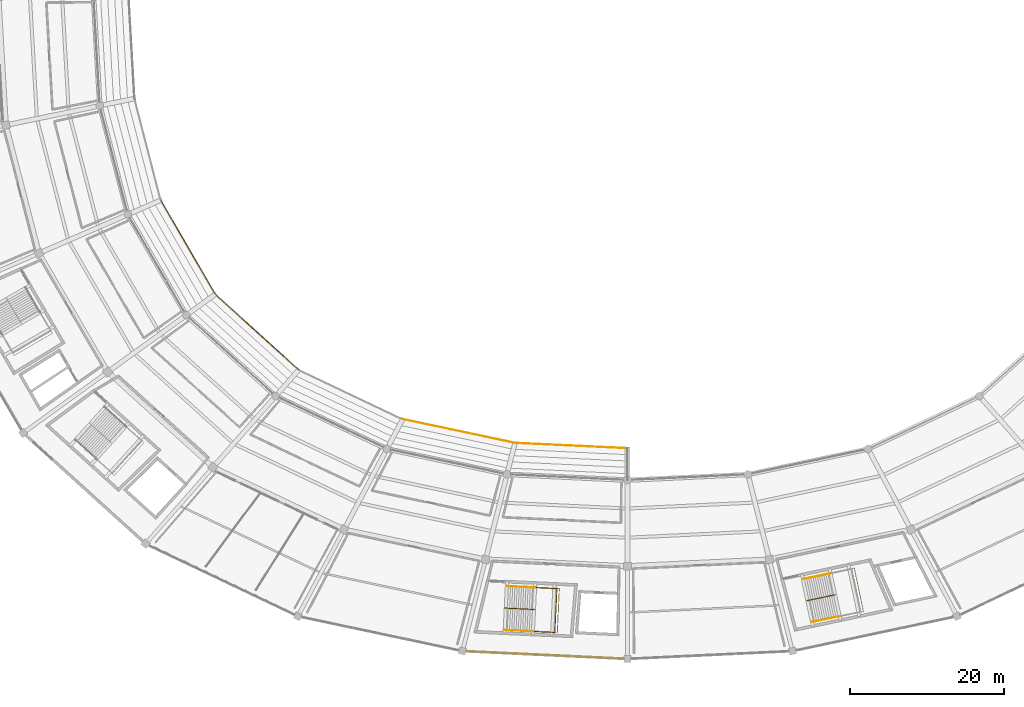
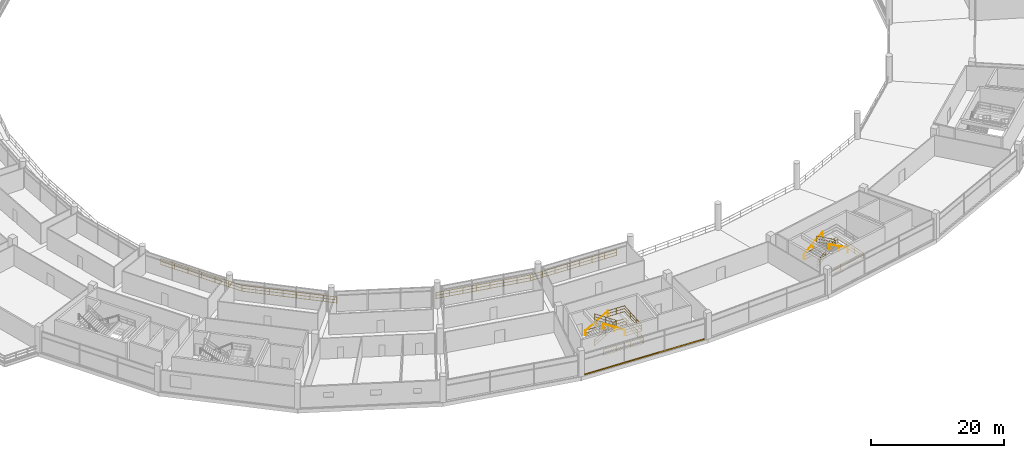
# One storey, part 165 of 171: 13 railings, 1 covering.
"""IFC4 building model written with IfcOpenShell, lengths in metres."""

from ifc_helpers import new_model, si_unit, direction, frame, origin, origin_2d, place, context, subcontext, project, spatial, rectangle, extrude, material, layer, layer_set, type_object, element, save


model = new_model("IFC4")

# Units and contexts
model_context = context("Model", 3, precision=1e-05, world=origin(), true_north=direction((0.0, 1.0)))
body_context = subcontext(model_context, "Body", "Model", "MODEL_VIEW")
ifc_project = project(units=[si_unit("LENGTHUNIT", "METRE"), si_unit("AREAUNIT", "SQUARE_METRE"), si_unit("VOLUMEUNIT", "CUBIC_METRE"), si_unit("PLANEANGLEUNIT", "RADIAN"), si_unit("MASSUNIT", "GRAM", prefix="KILO")], contexts=[model_context])

# Site, building, storey
site_placement = place(None, origin())
site = spatial("IfcSite", under=ifc_project, at=site_placement, CompositionType="ELEMENT")
building_placement = place(site_placement, origin())
building = spatial("IfcBuilding", under=site, at=building_placement, Name="Kazemori Nagisa Stadium", CompositionType="ELEMENT")
storey_placement = place(building_placement, frame((0.0, 0.0, 15.639892578125)))
storey = spatial("IfcBuildingStorey", under=building, at=storey_placement, Name="L03", CompositionType="ELEMENT", Elevation=15.639892578125)

# Covering
ifc_material_1 = material(Name="Anodised aluminium 6063-T5", Category="aluminium")
ifc_layer = layer(ifc_material_1, 0.034912109375, Name="Anodised aluminium 6063-T5", Category="aluminium")
ifc_layer_set = layer_set([ifc_layer], Name="Anodised aluminium 6063-T5")
covering_type = type_object("IfcCoveringType", Name="Covering_CLAD", PredefinedType="CLADDING", material=ifc_layer_set)
covering_placement = place(storey_placement, frame((112.2861328125, 16.506591796875, -0.259765625), z_axis=(0.0, 0.0, 1.0), x_axis=(0.998884022476, -0.047230388971, 0.0)))
element("IfcCovering", 1, at=covering_placement, inside=storey, type_object=covering_type, Name="Anodised fascia cladding L03-B21", PredefinedType="CLADDING", context=body_context, shape_type="SweptSolid", body=[
    extrude(rectangle(XDim=20.3515625, YDim=0.0400390625, at=origin_2d()), origin(), (0.0, 0.0, 1.0), 0.260009765625),
])

# Railings
ifc_material_2 = material(Name="Laminated safety glass and stainless steel SUS304", Category="steel")
railing_type_1 = type_object("IfcRailingType", Name="Rail_BAL", PredefinedType="BALUSTRADE", material=ifc_material_2)
railing_1_placement = place(storey_placement, frame((62.38037109375, 75.57275390625, -1.519775390625)))
element("IfcRailing", 2, at=railing_1_placement, inside=storey, type_object=railing_type_1, Name="Club tier front balustrade B17", PredefinedType="BALUSTRADE", context=body_context, shape_type="SweptSolid", body=[
    extrude(rectangle(XDim=0.050048828125, YDim=0.050048828125, at=origin_2d()), frame((0.0, 0.0, 1.09521484375), z_axis=(0.501617986133, -0.865089241632, 0.0), x_axis=(0.865089241632, 0.501617986133, 0.0)), (0.0, 0.0, 1.0), 14.125732421875),
    extrude(rectangle(XDim=0.03759765625, YDim=0.03759765625, at=origin_2d()), frame((0.0, 0.0, 0.58251953125), z_axis=(0.501617986133, -0.865089241632, 0.0), x_axis=(0.865089241632, 0.501617986133, 0.0)), (0.0, 0.0, 1.0), 14.125732421875),
    extrude(rectangle(XDim=0.03759765625, YDim=0.03759765625, at=origin_2d()), frame((0.0, 0.0, 0.02490234375), z_axis=(0.501617986133, -0.865089241632, 0.0), x_axis=(0.865089241632, 0.501617986133, 0.0)), (0.0, 0.0, 1.0), 14.125732421875),
    extrude(rectangle(XDim=0.044921875, YDim=0.044921875, at=origin_2d()), origin(), (0.0, 0.0, 1.0), 1.070068359375),
    extrude(rectangle(XDim=0.044921875, YDim=0.044921875, at=origin_2d()), frame((1.180908203125, -2.03662109375, 0.0)), (0.0, 0.0, 1.0), 1.070068359375),
    extrude(rectangle(XDim=0.044921875, YDim=0.044921875, at=origin_2d()), frame((2.36181640625, -4.0732421875, 0.0)), (0.0, 0.0, 1.0), 1.070068359375),
    extrude(rectangle(XDim=0.044921875, YDim=0.044921875, at=origin_2d()), frame((3.54296875, -6.10986328125, 0.0)), (0.0, 0.0, 1.0), 1.070068359375),
    extrude(rectangle(XDim=0.044921875, YDim=0.044921875, at=origin_2d()), frame((4.723876953125, -8.146728515625, 0.0)), (0.0, 0.0, 1.0), 1.070068359375),
    extrude(rectangle(XDim=0.044921875, YDim=0.044921875, at=origin_2d()), frame((5.90478515625, -10.183349609375, 0.0)), (0.0, 0.0, 1.0), 1.070068359375),
    extrude(rectangle(XDim=0.044921875, YDim=0.044921875, at=origin_2d()), frame((7.085693359375, -12.219970703125, 0.0)), (0.0, 0.0, 1.0), 1.070068359375),
])
railing_2_placement = place(storey_placement, frame((69.466064453125, 63.352783203125, -1.519775390625)))
element("IfcRailing", 3, at=railing_2_placement, inside=storey, type_object=railing_type_1, Name="Club tier front balustrade B18", PredefinedType="BALUSTRADE", context=body_context, shape_type="SweptSolid", body=[
    extrude(rectangle(XDim=0.050048828125, YDim=0.050048828125, at=origin_2d()), frame((0.0, 0.0, 1.09521484375), z_axis=(0.74134947659, -0.671119179848, 0.0), x_axis=(0.671119179848, 0.74134947659, 0.0)), (0.0, 0.0, 1.0), 14.624755859375),
    extrude(rectangle(XDim=0.03759765625, YDim=0.03759765625, at=origin_2d()), frame((0.0, 0.0, 0.58251953125), z_axis=(0.74134947659, -0.671119179848, 0.0), x_axis=(0.671119179848, 0.74134947659, 0.0)), (0.0, 0.0, 1.0), 14.624755859375),
    extrude(rectangle(XDim=0.03759765625, YDim=0.03759765625, at=origin_2d()), frame((0.0, 0.0, 0.02490234375), z_axis=(0.74134947659, -0.671119179848, 0.0), x_axis=(0.671119179848, 0.74134947659, 0.0)), (0.0, 0.0, 1.0), 14.624755859375),
    extrude(rectangle(XDim=0.044921875, YDim=0.044921875, at=origin_2d()), origin(), (0.0, 0.0, 1.0), 1.070068359375),
    extrude(rectangle(XDim=0.044921875, YDim=0.044921875, at=origin_2d()), frame((1.548828125, -1.402099609375, 0.0)), (0.0, 0.0, 1.0), 1.070068359375),
    extrude(rectangle(XDim=0.044921875, YDim=0.044921875, at=origin_2d()), frame((3.09765625, -2.80419921875, 0.0)), (0.0, 0.0, 1.0), 1.070068359375),
    extrude(rectangle(XDim=0.044921875, YDim=0.044921875, at=origin_2d()), frame((4.646484375, -4.206298828125, 0.0)), (0.0, 0.0, 1.0), 1.070068359375),
    extrude(rectangle(XDim=0.044921875, YDim=0.044921875, at=origin_2d()), frame((6.195556640625, -5.608642578125, 0.0)), (0.0, 0.0, 1.0), 1.070068359375),
    extrude(rectangle(XDim=0.044921875, YDim=0.044921875, at=origin_2d()), frame((7.744384765625, -7.0107421875, 0.0)), (0.0, 0.0, 1.0), 1.070068359375),
    extrude(rectangle(XDim=0.044921875, YDim=0.044921875, at=origin_2d()), frame((9.293212890625, -8.412841796875, 0.0)), (0.0, 0.0, 1.0), 1.070068359375),
    extrude(rectangle(XDim=0.044921875, YDim=0.044921875, at=origin_2d()), frame((10.842041015625, -9.81494140625, 0.0)), (0.0, 0.0, 1.0), 1.070068359375),
])
railing_3_placement = place(storey_placement, frame((93.80712890625, 47.123291015625, -1.519775390625)))
element("IfcRailing", 4, at=railing_3_placement, inside=storey, type_object=railing_type_1, Name="Club tier front balustrade B20", PredefinedType="BALUSTRADE", context=body_context, shape_type="SweptSolid", body=[
    extrude(rectangle(XDim=0.050048828125, YDim=0.050048828125, at=origin_2d()), frame((0.0, 0.0, 1.09521484375), z_axis=(0.978347151304, -0.206970653802, 0.0), x_axis=(0.206970653802, 0.978347151304, 0.0)), (0.0, 0.0, 1.0), 14.90185546875),
    extrude(rectangle(XDim=0.03759765625, YDim=0.03759765625, at=origin_2d()), frame((0.0, 0.0, 0.58251953125), z_axis=(0.978347151304, -0.206970653802, 0.0), x_axis=(0.206970653802, 0.978347151304, 0.0)), (0.0, 0.0, 1.0), 14.90185546875),
    extrude(rectangle(XDim=0.03759765625, YDim=0.03759765625, at=origin_2d()), frame((0.0, 0.0, 0.02490234375), z_axis=(0.978347151304, -0.206970653802, 0.0), x_axis=(0.206970653802, 0.978347151304, 0.0)), (0.0, 0.0, 1.0), 14.90185546875),
    extrude(rectangle(XDim=0.044921875, YDim=0.044921875, at=origin_2d()), origin(), (0.0, 0.0, 1.0), 1.070068359375),
    extrude(rectangle(XDim=0.044921875, YDim=0.044921875, at=origin_2d()), frame((2.082763671875, -0.440673828125, 0.0)), (0.0, 0.0, 1.0), 1.070068359375),
    extrude(rectangle(XDim=0.044921875, YDim=0.044921875, at=origin_2d()), frame((4.16552734375, -0.881103515625, 0.0)), (0.0, 0.0, 1.0), 1.070068359375),
    extrude(rectangle(XDim=0.044921875, YDim=0.044921875, at=origin_2d()), frame((6.248291015625, -1.32177734375, 0.0)), (0.0, 0.0, 1.0), 1.070068359375),
    extrude(rectangle(XDim=0.044921875, YDim=0.044921875, at=origin_2d()), frame((8.330810546875, -1.762451171875, 0.0)), (0.0, 0.0, 1.0), 1.070068359375),
    extrude(rectangle(XDim=0.044921875, YDim=0.044921875, at=origin_2d()), frame((10.41357421875, -2.203125, 0.0)), (0.0, 0.0, 1.0), 1.070068359375),
    extrude(rectangle(XDim=0.044921875, YDim=0.044921875, at=origin_2d()), frame((12.496337890625, -2.6435546875, 0.0)), (0.0, 0.0, 1.0), 1.070068359375),
    extrude(rectangle(XDim=0.044921875, YDim=0.044921875, at=origin_2d()), frame((14.5791015625, -3.084228515625, 0.0)), (0.0, 0.0, 1.0), 1.070068359375),
])
railing_4_placement = place(storey_placement, frame((108.38623046875, 44.0390625, -1.519775390625)))
element("IfcRailing", 5, at=railing_4_placement, inside=storey, type_object=railing_type_1, Name="Club tier front balustrade B21", PredefinedType="BALUSTRADE", context=body_context, shape_type="SweptSolid", body=[
    extrude(rectangle(XDim=0.050048828125, YDim=0.050048828125, at=origin_2d()), frame((0.0, 0.0, 1.09521484375), z_axis=(0.99888345174, -0.047242458015, 0.0), x_axis=(0.047242458015, 0.99888345174, 0.0)), (0.0, 0.0, 1.0), 14.630126953125),
    extrude(rectangle(XDim=0.03759765625, YDim=0.03759765625, at=origin_2d()), frame((0.0, 0.0, 0.58251953125), z_axis=(0.99888345174, -0.047242458015, 0.0), x_axis=(0.047242458015, 0.99888345174, 0.0)), (0.0, 0.0, 1.0), 14.630126953125),
    extrude(rectangle(XDim=0.03759765625, YDim=0.03759765625, at=origin_2d()), frame((0.0, 0.0, 0.02490234375), z_axis=(0.99888345174, -0.047242458015, 0.0), x_axis=(0.047242458015, 0.99888345174, 0.0)), (0.0, 0.0, 1.0), 14.630126953125),
    extrude(rectangle(XDim=0.044921875, YDim=0.044921875, at=origin_2d()), origin(), (0.0, 0.0, 1.0), 1.070068359375),
    extrude(rectangle(XDim=0.044921875, YDim=0.044921875, at=origin_2d()), frame((2.087646484375, -0.0986328125, 0.0)), (0.0, 0.0, 1.0), 1.070068359375),
    extrude(rectangle(XDim=0.044921875, YDim=0.044921875, at=origin_2d()), frame((4.17529296875, -0.197509765625, 0.0)), (0.0, 0.0, 1.0), 1.070068359375),
    extrude(rectangle(XDim=0.044921875, YDim=0.044921875, at=origin_2d()), frame((6.262939453125, -0.296142578125, 0.0)), (0.0, 0.0, 1.0), 1.070068359375),
    extrude(rectangle(XDim=0.044921875, YDim=0.044921875, at=origin_2d()), frame((8.350830078125, -0.39501953125, 0.0)), (0.0, 0.0, 1.0), 1.070068359375),
    extrude(rectangle(XDim=0.044921875, YDim=0.044921875, at=origin_2d()), frame((10.4384765625, -0.49365234375, 0.0)), (0.0, 0.0, 1.0), 1.070068359375),
    extrude(rectangle(XDim=0.044921875, YDim=0.044921875, at=origin_2d()), frame((12.526123046875, -0.592529296875, 0.0)), (0.0, 0.0, 1.0), 1.070068359375),
    extrude(rectangle(XDim=0.044921875, YDim=0.044921875, at=origin_2d()), frame((14.61376953125, -0.691162109375, 0.0)), (0.0, 0.0, 1.0), 1.070068359375),
])
ifc_material_3 = material(Name="Galvanised powder-coated steel", Category="steel")
railing_type_2 = type_object("IfcRailingType", Name="Rail_GUARD", PredefinedType="GUARDRAIL", material=ifc_material_3)
railing_5_placement = place(storey_placement, frame((107.32470703125, 25.434814453125, 0.0)))
element("IfcRailing", 6, at=railing_5_placement, inside=storey, type_object=railing_type_2, Name="Stair well perimeter guard ST12-L03", PredefinedType="GUARDRAIL", context=body_context, shape_type="SweptSolid", body=[
    extrude(rectangle(XDim=0.050048828125, YDim=0.050048828125, at=origin_2d()), frame((0.0, 0.0, 1.09521484375), z_axis=(0.998884784406, -0.047214272012, 0.0), x_axis=(0.047214272012, 0.998884784406, 0.0)), (0.0, 0.0, 1.0), 6.81005859375),
    extrude(rectangle(XDim=0.03759765625, YDim=0.03759765625, at=origin_2d()), frame((0.0, 0.0, 0.58251953125), z_axis=(0.998884784406, -0.047214272012, 0.0), x_axis=(0.047214272012, 0.998884784406, 0.0)), (0.0, 0.0, 1.0), 6.81005859375),
    extrude(rectangle(XDim=0.03759765625, YDim=0.03759765625, at=origin_2d()), frame((0.0, 0.0, 0.02490234375), z_axis=(0.998884784406, -0.047214272012, 0.0), x_axis=(0.047214272012, 0.998884784406, 0.0)), (0.0, 0.0, 1.0), 6.81005859375),
    extrude(rectangle(XDim=0.050048828125, YDim=0.050048828125, at=origin_2d()), frame((6.802490234375, -0.321533203125, 1.09521484375), z_axis=(-0.047243616775, -0.998883396936, 0.0), x_axis=(0.998883396936, -0.047243616775, 0.0)), (0.0, 0.0, 1.0), 5.699951171875),
    extrude(rectangle(XDim=0.03759765625, YDim=0.03759765625, at=origin_2d()), frame((6.802490234375, -0.321533203125, 0.58251953125), z_axis=(-0.047243616775, -0.998883396936, 0.0), x_axis=(0.998883396936, -0.047243616775, 0.0)), (0.0, 0.0, 1.0), 5.699951171875),
    extrude(rectangle(XDim=0.03759765625, YDim=0.03759765625, at=origin_2d()), frame((6.802490234375, -0.321533203125, 0.02490234375), z_axis=(-0.047243616775, -0.998883396936, 0.0), x_axis=(0.998883396936, -0.047243616775, 0.0)), (0.0, 0.0, 1.0), 5.699951171875),
    extrude(rectangle(XDim=0.050048828125, YDim=0.050048828125, at=origin_2d()), frame((6.533203125, -6.01513671875, 1.09521484375), z_axis=(-0.998884704486, 0.04721596281, 0.0), x_axis=(-0.04721596281, -0.998884704486, 0.0)), (0.0, 0.0, 1.0), 6.809814453125),
    extrude(rectangle(XDim=0.03759765625, YDim=0.03759765625, at=origin_2d()), frame((6.533203125, -6.01513671875, 0.58251953125), z_axis=(-0.998884704486, 0.04721596281, 0.0), x_axis=(-0.04721596281, -0.998884704486, 0.0)), (0.0, 0.0, 1.0), 6.809814453125),
    extrude(rectangle(XDim=0.03759765625, YDim=0.03759765625, at=origin_2d()), frame((6.533203125, -6.01513671875, 0.02490234375), z_axis=(-0.998884704486, 0.04721596281, 0.0), x_axis=(-0.04721596281, -0.998884704486, 0.0)), (0.0, 0.0, 1.0), 6.809814453125),
    extrude(rectangle(XDim=0.044921875, YDim=0.044921875, at=origin_2d()), origin(), (0.0, 0.0, 1.0), 1.070068359375),
    extrude(rectangle(XDim=0.044921875, YDim=0.044921875, at=origin_2d()), frame((2.267578125, -0.107177734375, 0.0)), (0.0, 0.0, 1.0), 1.070068359375),
    extrude(rectangle(XDim=0.044921875, YDim=0.044921875, at=origin_2d()), frame((4.534912109375, -0.21435546875, 0.0)), (0.0, 0.0, 1.0), 1.070068359375),
    extrude(rectangle(XDim=0.044921875, YDim=0.044921875, at=origin_2d()), frame((6.802490234375, -0.321533203125, 0.0)), (0.0, 0.0, 1.0), 1.070068359375),
    extrude(rectangle(XDim=0.044921875, YDim=0.044921875, at=origin_2d()), frame((6.712646484375, -2.219482421875, 0.0)), (0.0, 0.0, 1.0), 1.070068359375),
    extrude(rectangle(XDim=0.044921875, YDim=0.044921875, at=origin_2d()), frame((6.623046875, -4.1171875, 0.0)), (0.0, 0.0, 1.0), 1.070068359375),
    extrude(rectangle(XDim=0.044921875, YDim=0.044921875, at=origin_2d()), frame((6.533203125, -6.01513671875, 0.0)), (0.0, 0.0, 1.0), 1.070068359375),
    extrude(rectangle(XDim=0.044921875, YDim=0.044921875, at=origin_2d()), frame((4.265869140625, -5.907958984375, 0.0)), (0.0, 0.0, 1.0), 1.070068359375),
    extrude(rectangle(XDim=0.044921875, YDim=0.044921875, at=origin_2d()), frame((1.998291015625, -5.80078125, 0.0)), (0.0, 0.0, 1.0), 1.070068359375),
    extrude(rectangle(XDim=0.044921875, YDim=0.044921875, at=origin_2d()), frame((-0.26904296875, -5.693603515625, 0.0)), (0.0, 0.0, 1.0), 1.070068359375),
])
railing_6_placement = place(storey_placement, frame((107.1103515625, 22.591796875, 0.0)))
element("IfcRailing", 7, at=railing_6_placement, inside=storey, type_object=railing_type_2, Name="Stair central guard ST12-L03", PredefinedType="GUARDRAIL", context=body_context, shape_type="SweptSolid", body=[
    extrude(rectangle(XDim=0.050048828125, YDim=0.050048828125, at=origin_2d()), frame((0.0, 0.0, 1.09521484375), z_axis=(0.843672919701, -0.039868940943, 0.535375076102), x_axis=(0.047203717739, 0.998885283219, 0.0)), (0.0, 0.0, 1.0), 4.44580078125),
    extrude(rectangle(XDim=0.03759765625, YDim=0.03759765625, at=origin_2d()), frame((0.0, 0.0, 0.58251953125), z_axis=(0.843672919701, -0.039868940943, 0.535375076102), x_axis=(0.047203717739, 0.998885283219, 0.0)), (0.0, 0.0, 1.0), 4.44580078125),
    extrude(rectangle(XDim=0.03759765625, YDim=0.03759765625, at=origin_2d()), frame((0.0, 0.0, 0.02490234375), z_axis=(0.843672919701, -0.039868940943, 0.535375076102), x_axis=(0.047203717739, 0.998885283219, 0.0)), (0.0, 0.0, 1.0), 4.44580078125),
    extrude(rectangle(XDim=0.050048828125, YDim=0.050048828125, at=origin_2d()), frame((3.750732421875, -0.17724609375, 3.47509765625), z_axis=(-0.83843100158, 0.039646477928, 0.54356380709), x_axis=(-0.047233734206, -0.998883864297, 0.0)), (0.0, 0.0, 1.0), 4.378173828125),
    extrude(rectangle(XDim=0.03759765625, YDim=0.03759765625, at=origin_2d()), frame((3.750732421875, -0.17724609375, 2.962646484375), z_axis=(-0.83843100158, 0.039646477928, 0.54356380709), x_axis=(-0.047233734206, -0.998883864297, 0.0)), (0.0, 0.0, 1.0), 4.378173828125),
    extrude(rectangle(XDim=0.03759765625, YDim=0.03759765625, at=origin_2d()), frame((3.750732421875, -0.17724609375, 2.4052734375), z_axis=(-0.83843100158, 0.039646477928, 0.54356380709), x_axis=(-0.047233734206, -0.998883864297, 0.0)), (0.0, 0.0, 1.0), 4.378173828125),
    extrude(rectangle(XDim=0.044921875, YDim=0.044921875, at=origin_2d()), origin(), (0.0, 0.0, 1.0), 1.070068359375),
    extrude(rectangle(XDim=0.044921875, YDim=0.044921875, at=origin_2d()), frame((1.87548828125, -0.088623046875, 1.18994140625)), (0.0, 0.0, 1.0), 1.070068359375),
    extrude(rectangle(XDim=0.044921875, YDim=0.044921875, at=origin_2d()), frame((3.750732421875, -0.17724609375, 2.380126953125)), (0.0, 0.0, 1.0), 1.070068359375),
    extrude(rectangle(XDim=0.044921875, YDim=0.044921875, at=origin_2d()), frame((1.915283203125, -0.09033203125, 3.570068359375)), (0.0, 0.0, 1.0), 1.070068359375),
    extrude(rectangle(XDim=0.044921875, YDim=0.044921875, at=origin_2d()), frame((0.079833984375, -0.003662109375, 4.760009765625)), (0.0, 0.0, 1.0), 1.070068359375),
])
railing_7_placement = place(storey_placement, frame((110.99560546875, 25.26123046875, 2.380126953125)))
element("IfcRailing", 8, at=railing_7_placement, inside=storey, type_object=railing_type_2, Name="Stair landing guard ST12-L03", PredefinedType="GUARDRAIL", context=body_context, shape_type="SweptSolid", body=[
    extrude(rectangle(XDim=0.050048828125, YDim=0.050048828125, at=origin_2d()), frame((0.0, 0.0, 1.09521484375), z_axis=(0.998885512722, -0.047198860948, 0.0), x_axis=(0.047198860948, 0.998885512722, 0.0)), (0.0, 0.0, 1.0), 2.85009765625),
    extrude(rectangle(XDim=0.03759765625, YDim=0.03759765625, at=origin_2d()), frame((0.0, 0.0, 0.58251953125), z_axis=(0.998885512722, -0.047198860948, 0.0), x_axis=(0.047198860948, 0.998885512722, 0.0)), (0.0, 0.0, 1.0), 2.85009765625),
    extrude(rectangle(XDim=0.03759765625, YDim=0.03759765625, at=origin_2d()), frame((0.0, 0.0, 0.02490234375), z_axis=(0.998885512722, -0.047198860948, 0.0), x_axis=(0.047198860948, 0.998885512722, 0.0)), (0.0, 0.0, 1.0), 2.85009765625),
    extrude(rectangle(XDim=0.050048828125, YDim=0.050048828125, at=origin_2d()), frame((2.846923828125, -0.134521484375, 1.09521484375), z_axis=(-0.047243616775, -0.998883396936, 0.0), x_axis=(0.998883396936, -0.047243616775, 0.0)), (0.0, 0.0, 1.0), 5.699951171875),
    extrude(rectangle(XDim=0.03759765625, YDim=0.03759765625, at=origin_2d()), frame((2.846923828125, -0.134521484375, 0.58251953125), z_axis=(-0.047243616775, -0.998883396936, 0.0), x_axis=(0.998883396936, -0.047243616775, 0.0)), (0.0, 0.0, 1.0), 5.699951171875),
    extrude(rectangle(XDim=0.03759765625, YDim=0.03759765625, at=origin_2d()), frame((2.846923828125, -0.134521484375, 0.02490234375), z_axis=(-0.047243616775, -0.998883396936, 0.0), x_axis=(0.998883396936, -0.047243616775, 0.0)), (0.0, 0.0, 1.0), 5.699951171875),
    extrude(rectangle(XDim=0.050048828125, YDim=0.050048828125, at=origin_2d()), frame((2.57763671875, -5.828125, 1.09521484375), z_axis=(-0.998885321869, 0.047202899858, 0.0), x_axis=(-0.047202899858, -0.998885321869, 0.0)), (0.0, 0.0, 1.0), 2.849853515625),
    extrude(rectangle(XDim=0.03759765625, YDim=0.03759765625, at=origin_2d()), frame((2.57763671875, -5.828125, 0.58251953125), z_axis=(-0.998885321869, 0.047202899858, 0.0), x_axis=(-0.047202899858, -0.998885321869, 0.0)), (0.0, 0.0, 1.0), 2.849853515625),
    extrude(rectangle(XDim=0.03759765625, YDim=0.03759765625, at=origin_2d()), frame((2.57763671875, -5.828125, 0.02490234375), z_axis=(-0.998885321869, 0.047202899858, 0.0), x_axis=(-0.047202899858, -0.998885321869, 0.0)), (0.0, 0.0, 1.0), 2.849853515625),
    extrude(rectangle(XDim=0.044921875, YDim=0.044921875, at=origin_2d()), origin(), (0.0, 0.0, 1.0), 1.070068359375),
    extrude(rectangle(XDim=0.044921875, YDim=0.044921875, at=origin_2d()), frame((1.42333984375, -0.0673828125, 0.0)), (0.0, 0.0, 1.0), 1.070068359375),
    extrude(rectangle(XDim=0.044921875, YDim=0.044921875, at=origin_2d()), frame((2.846923828125, -0.134521484375, 0.0)), (0.0, 0.0, 1.0), 1.070068359375),
    extrude(rectangle(XDim=0.044921875, YDim=0.044921875, at=origin_2d()), frame((2.757080078125, -2.032470703125, 0.0)), (0.0, 0.0, 1.0), 1.070068359375),
    extrude(rectangle(XDim=0.044921875, YDim=0.044921875, at=origin_2d()), frame((2.66748046875, -3.93017578125, 0.0)), (0.0, 0.0, 1.0), 1.070068359375),
    extrude(rectangle(XDim=0.044921875, YDim=0.044921875, at=origin_2d()), frame((2.57763671875, -5.828125, 0.0)), (0.0, 0.0, 1.0), 1.070068359375),
    extrude(rectangle(XDim=0.044921875, YDim=0.044921875, at=origin_2d()), frame((1.154296875, -5.7607421875, 0.0)), (0.0, 0.0, 1.0), 1.070068359375),
    extrude(rectangle(XDim=0.044921875, YDim=0.044921875, at=origin_2d()), frame((-0.26904296875, -5.693603515625, 0.0)), (0.0, 0.0, 1.0), 1.070068359375),
])
railing_8_placement = place(storey_placement, frame((145.77685546875, 26.353271484375, 0.0)))
element("IfcRailing", 9, at=railing_8_placement, inside=storey, type_object=railing_type_2, Name="Stair well perimeter guard ST06-L03", PredefinedType="GUARDRAIL", context=body_context, shape_type="SweptSolid", body=[
    extrude(rectangle(XDim=0.050048828125, YDim=0.050048828125, at=origin_2d()), frame((0.0, 0.0, 1.09521484375), z_axis=(0.978348865551, 0.206962550415, 0.0), x_axis=(-0.206962550415, 0.978348865551, 0.0)), (0.0, 0.0, 1.0), 6.81005859375),
    extrude(rectangle(XDim=0.03759765625, YDim=0.03759765625, at=origin_2d()), frame((0.0, 0.0, 0.58251953125), z_axis=(0.978348865551, 0.206962550415, 0.0), x_axis=(-0.206962550415, 0.978348865551, 0.0)), (0.0, 0.0, 1.0), 6.81005859375),
    extrude(rectangle(XDim=0.03759765625, YDim=0.03759765625, at=origin_2d()), frame((0.0, 0.0, 0.02490234375), z_axis=(0.978348865551, 0.206962550415, 0.0), x_axis=(-0.206962550415, 0.978348865551, 0.0)), (0.0, 0.0, 1.0), 6.81005859375),
    extrude(rectangle(XDim=0.050048828125, YDim=0.050048828125, at=origin_2d()), frame((6.66259765625, 1.409423828125, 1.09521484375), z_axis=(0.206960167837, -0.978349369565, 0.0), x_axis=(0.978349369565, 0.206960167837, 0.0)), (0.0, 0.0, 1.0), 5.699951171875),
    extrude(rectangle(XDim=0.03759765625, YDim=0.03759765625, at=origin_2d()), frame((6.66259765625, 1.409423828125, 0.58251953125), z_axis=(0.206960167837, -0.978349369565, 0.0), x_axis=(0.978349369565, 0.206960167837, 0.0)), (0.0, 0.0, 1.0), 5.699951171875),
    extrude(rectangle(XDim=0.03759765625, YDim=0.03759765625, at=origin_2d()), frame((6.66259765625, 1.409423828125, 0.02490234375), z_axis=(0.206960167837, -0.978349369565, 0.0), x_axis=(0.978349369565, 0.206960167837, 0.0)), (0.0, 0.0, 1.0), 5.699951171875),
    extrude(rectangle(XDim=0.050048828125, YDim=0.050048828125, at=origin_2d()), frame((7.84228515625, -4.167236328125, 1.09521484375), z_axis=(-0.978347329886, -0.206969809646, 0.0), x_axis=(0.206969809646, -0.978347329886, 0.0)), (0.0, 0.0, 1.0), 6.809814453125),
    extrude(rectangle(XDim=0.03759765625, YDim=0.03759765625, at=origin_2d()), frame((7.84228515625, -4.167236328125, 0.58251953125), z_axis=(-0.978347329886, -0.206969809646, 0.0), x_axis=(0.206969809646, -0.978347329886, 0.0)), (0.0, 0.0, 1.0), 6.809814453125),
    extrude(rectangle(XDim=0.03759765625, YDim=0.03759765625, at=origin_2d()), frame((7.84228515625, -4.167236328125, 0.02490234375), z_axis=(-0.978347329886, -0.206969809646, 0.0), x_axis=(0.206969809646, -0.978347329886, 0.0)), (0.0, 0.0, 1.0), 6.809814453125),
    extrude(rectangle(XDim=0.044921875, YDim=0.044921875, at=origin_2d()), origin(), (0.0, 0.0, 1.0), 1.070068359375),
    extrude(rectangle(XDim=0.044921875, YDim=0.044921875, at=origin_2d()), frame((2.220947265625, 0.4697265625, 0.0)), (0.0, 0.0, 1.0), 1.070068359375),
    extrude(rectangle(XDim=0.044921875, YDim=0.044921875, at=origin_2d()), frame((4.441650390625, 0.939697265625, 0.0)), (0.0, 0.0, 1.0), 1.070068359375),
    extrude(rectangle(XDim=0.044921875, YDim=0.044921875, at=origin_2d()), frame((6.66259765625, 1.409423828125, 0.0)), (0.0, 0.0, 1.0), 1.070068359375),
    extrude(rectangle(XDim=0.044921875, YDim=0.044921875, at=origin_2d()), frame((7.055908203125, -0.449462890625, 0.0)), (0.0, 0.0, 1.0), 1.070068359375),
    extrude(rectangle(XDim=0.044921875, YDim=0.044921875, at=origin_2d()), frame((7.448974609375, -2.308349609375, 0.0)), (0.0, 0.0, 1.0), 1.070068359375),
    extrude(rectangle(XDim=0.044921875, YDim=0.044921875, at=origin_2d()), frame((7.84228515625, -4.167236328125, 0.0)), (0.0, 0.0, 1.0), 1.070068359375),
    extrude(rectangle(XDim=0.044921875, YDim=0.044921875, at=origin_2d()), frame((5.62158203125, -4.636962890625, 0.0)), (0.0, 0.0, 1.0), 1.070068359375),
    extrude(rectangle(XDim=0.044921875, YDim=0.044921875, at=origin_2d()), frame((3.400634765625, -5.10693359375, 0.0)), (0.0, 0.0, 1.0), 1.070068359375),
    extrude(rectangle(XDim=0.044921875, YDim=0.044921875, at=origin_2d()), frame((1.179931640625, -5.57666015625, 0.0)), (0.0, 0.0, 1.0), 1.070068359375),
])
railing_9_placement = place(storey_placement, frame((146.28857421875, 23.54833984375, 0.0)))
element("IfcRailing", 10, at=railing_9_placement, inside=storey, type_object=railing_type_2, Name="Stair central guard ST06-L03", PredefinedType="GUARDRAIL", context=body_context, shape_type="SweptSolid", body=[
    extrude(rectangle(XDim=0.050048828125, YDim=0.050048828125, at=origin_2d()), frame((0.0, 0.0, 1.09521484375), z_axis=(0.82632590955, 0.174798655552, 0.535379231222), x_axis=(-0.206957394223, 0.978349956292, 0.0)), (0.0, 0.0, 1.0), 4.44580078125),
    extrude(rectangle(XDim=0.03759765625, YDim=0.03759765625, at=origin_2d()), frame((0.0, 0.0, 0.58251953125), z_axis=(0.82632590955, 0.174798655552, 0.535379231222), x_axis=(-0.206957394223, 0.978349956292, 0.0)), (0.0, 0.0, 1.0), 4.44580078125),
    extrude(rectangle(XDim=0.03759765625, YDim=0.03759765625, at=origin_2d()), frame((0.0, 0.0, 0.02490234375), z_axis=(0.82632590955, 0.174798655552, 0.535379231222), x_axis=(-0.206957394223, 0.978349956292, 0.0)), (0.0, 0.0, 1.0), 4.44580078125),
    extrude(rectangle(XDim=0.050048828125, YDim=0.050048828125, at=origin_2d()), frame((3.673583984375, 0.777099609375, 3.47509765625), z_axis=(-0.821199479463, -0.173697044783, 0.543563015265), x_axis=(0.206937802859, -0.978354100389, 0.0)), (0.0, 0.0, 1.0), 4.37841796875),
    extrude(rectangle(XDim=0.03759765625, YDim=0.03759765625, at=origin_2d()), frame((3.673583984375, 0.777099609375, 2.962646484375), z_axis=(-0.821199479463, -0.173697044783, 0.543563015265), x_axis=(0.206937802859, -0.978354100389, 0.0)), (0.0, 0.0, 1.0), 4.37841796875),
    extrude(rectangle(XDim=0.03759765625, YDim=0.03759765625, at=origin_2d()), frame((3.673583984375, 0.777099609375, 2.4052734375), z_axis=(-0.821199479463, -0.173697044783, 0.543563015265), x_axis=(0.206937802859, -0.978354100389, 0.0)), (0.0, 0.0, 1.0), 4.37841796875),
    extrude(rectangle(XDim=0.044921875, YDim=0.044921875, at=origin_2d()), origin(), (0.0, 0.0, 1.0), 1.070068359375),
    extrude(rectangle(XDim=0.044921875, YDim=0.044921875, at=origin_2d()), frame((1.8369140625, 0.388671875, 1.18994140625)), (0.0, 0.0, 1.0), 1.070068359375),
    extrude(rectangle(XDim=0.044921875, YDim=0.044921875, at=origin_2d()), frame((3.673583984375, 0.777099609375, 2.380126953125)), (0.0, 0.0, 1.0), 1.070068359375),
    extrude(rectangle(XDim=0.044921875, YDim=0.044921875, at=origin_2d()), frame((1.8759765625, 0.39697265625, 3.570068359375)), (0.0, 0.0, 1.0), 1.070068359375),
    extrude(rectangle(XDim=0.044921875, YDim=0.044921875, at=origin_2d()), frame((0.078125, 0.0166015625, 4.760009765625)), (0.0, 0.0, 1.0), 1.070068359375),
])
ifc_material_4 = material(Name="Stainless steel SUS304", Category="steel")
railing_type_3 = type_object("IfcRailingType", Name="Rail_HAND", PredefinedType="HANDRAIL", material=ifc_material_4)
railing_10_placement = place(storey_placement, frame((107.244873046875, 25.438720703125, 0.170166015625)))
element("IfcRailing", 11, at=railing_10_placement, inside=storey, type_object=railing_type_3, Name="Stair handrail ST12-L03-F1", PredefinedType="HANDRAIL", context=body_context, shape_type="SweptSolid", body=[
    extrude(rectangle(XDim=0.050048828125, YDim=0.050048828125, at=origin_2d()), frame((0.0, 0.0, 0.875), z_axis=(0.843695875415, -0.039924943138, 0.53533472587), x_axis=(0.04726859146, 0.998882215409, 0.0)), (0.0, 0.0, 1.0), 4.445556640625),
    extrude(rectangle(XDim=0.044921875, YDim=0.044921875, at=origin_2d()), origin(), (0.0, 0.0, 1.0), 0.849853515625),
    extrude(rectangle(XDim=0.044921875, YDim=0.044921875, at=origin_2d()), frame((1.87548828125, -0.0888671875, 1.18994140625)), (0.0, 0.0, 1.0), 0.849853515625),
    extrude(rectangle(XDim=0.044921875, YDim=0.044921875, at=origin_2d()), frame((3.750732421875, -0.177490234375, 2.3798828125)), (0.0, 0.0, 1.0), 0.849853515625),
])
railing_11_placement = place(storey_placement, frame((110.7265625, 19.567626953125, 2.550048828125)))
element("IfcRailing", 12, at=railing_11_placement, inside=storey, type_object=railing_type_3, Name="Stair handrail ST12-L03-F2", PredefinedType="HANDRAIL", context=body_context, shape_type="SweptSolid", body=[
    extrude(rectangle(XDim=0.050048828125, YDim=0.050048828125, at=origin_2d()), frame((0.0, 0.0, 0.875), z_axis=(-0.838405588611, 0.039645276237, 0.543603091472), x_axis=(-0.047233734206, -0.998883864297, 0.0)), (0.0, 0.0, 1.0), 4.37841796875),
    extrude(rectangle(XDim=0.044921875, YDim=0.044921875, at=origin_2d()), origin(), (0.0, 0.0, 1.0), 0.849853515625),
    extrude(rectangle(XDim=0.044921875, YDim=0.044921875, at=origin_2d()), frame((-1.83544921875, 0.0869140625, 1.18994140625)), (0.0, 0.0, 1.0), 0.849853515625),
    extrude(rectangle(XDim=0.044921875, YDim=0.044921875, at=origin_2d()), frame((-3.6708984375, 0.173583984375, 2.380126953125)), (0.0, 0.0, 1.0), 0.849853515625),
])
railing_12_placement = place(storey_placement, frame((145.69873046875, 26.336669921875, 0.170166015625)))
element("IfcRailing", 13, at=railing_12_placement, inside=storey, type_object=railing_type_3, Name="Stair handrail ST06-L03-F1", PredefinedType="HANDRAIL", context=body_context, shape_type="SweptSolid", body=[
    extrude(rectangle(XDim=0.050048828125, YDim=0.050048828125, at=origin_2d()), frame((0.0, 0.0, 0.875), z_axis=(0.826350204232, 0.174803794781, 0.535340053888), x_axis=(-0.206957394223, 0.978349956292, 0.0)), (0.0, 0.0, 1.0), 4.445556640625),
    extrude(rectangle(XDim=0.044921875, YDim=0.044921875, at=origin_2d()), origin(), (0.0, 0.0, 1.0), 0.849853515625),
    extrude(rectangle(XDim=0.044921875, YDim=0.044921875, at=origin_2d()), frame((1.8369140625, 0.388671875, 1.18994140625)), (0.0, 0.0, 1.0), 0.849853515625),
    extrude(rectangle(XDim=0.044921875, YDim=0.044921875, at=origin_2d()), frame((3.673583984375, 0.777099609375, 2.3798828125)), (0.0, 0.0, 1.0), 0.849853515625),
])
railing_13_placement = place(storey_placement, frame((150.552001953125, 21.537353515625, 2.550048828125)))
element("IfcRailing", 14, at=railing_13_placement, inside=storey, type_object=railing_type_3, Name="Stair handrail ST06-L03-F2", PredefinedType="HANDRAIL", context=body_context, shape_type="SweptSolid", body=[
    extrude(rectangle(XDim=0.050048828125, YDim=0.050048828125, at=origin_2d()), frame((0.0, 0.0, 0.875), z_axis=(-0.821148473382, -0.173753812512, 0.543621924963), x_axis=(0.207014843841, -0.978337801799, 0.0)), (0.0, 0.0, 1.0), 4.378173828125),
    extrude(rectangle(XDim=0.044921875, YDim=0.044921875, at=origin_2d()), origin(), (0.0, 0.0, 1.0), 0.849853515625),
    extrude(rectangle(XDim=0.044921875, YDim=0.044921875, at=origin_2d()), frame((-1.797607421875, -0.38037109375, 1.18994140625)), (0.0, 0.0, 1.0), 0.849853515625),
    extrude(rectangle(XDim=0.044921875, YDim=0.044921875, at=origin_2d()), frame((-3.59521484375, -0.7607421875, 2.380126953125)), (0.0, 0.0, 1.0), 0.849853515625),
])

save(model, "model.ifc")
